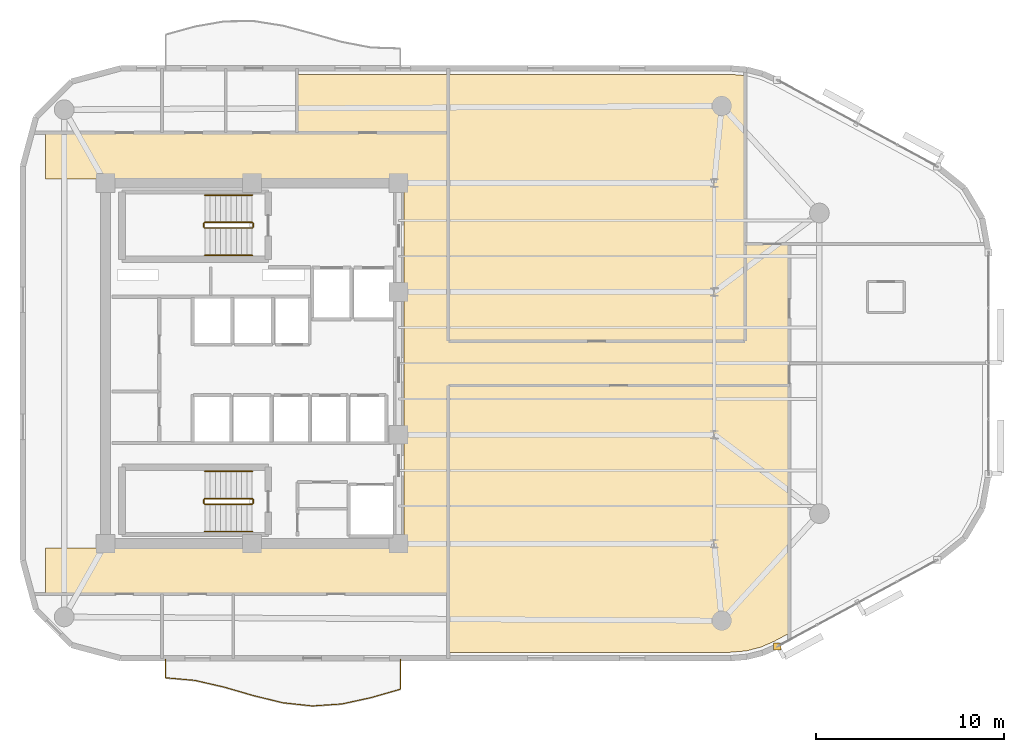
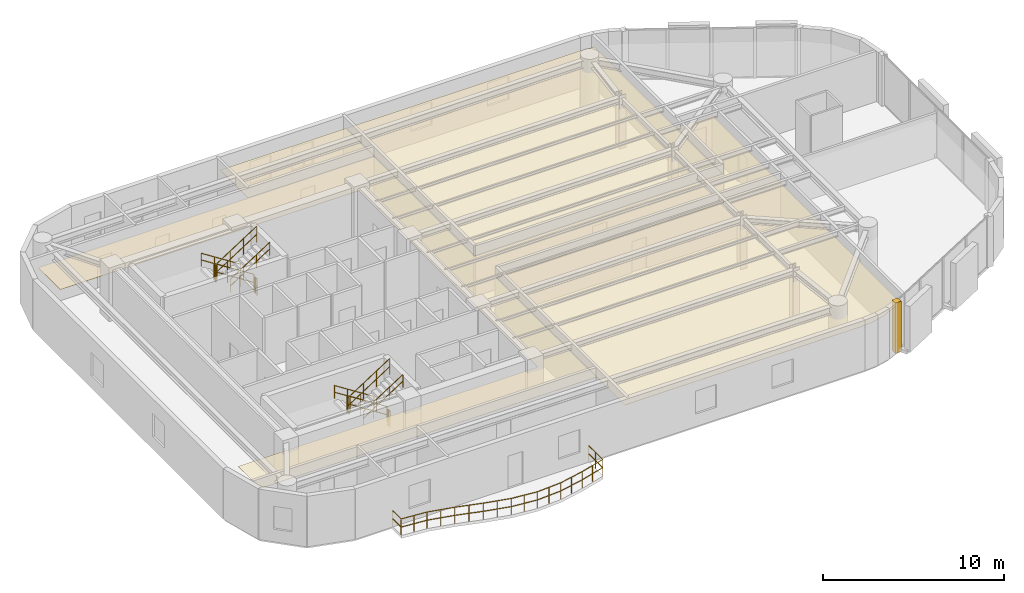
# One storey, part 12 of 13: 13 railings, 5 coverings.
"""IFC4 building model written with IfcOpenShell, lengths in metres."""

from ifc_helpers import new_model, si_unit, direction, frame, origin, origin_2d, place, context, subcontext, project, spatial, polyline, rectangle, circle, outline, extrude, material, layer, layer_set, type_object, element, save


model = new_model("IFC4")

# Units and contexts
model_context = context("Model", 3, precision=1e-05, world=origin(), true_north=direction((0.0, 1.0)))
body_context = subcontext(model_context, "Body", "Model", "MODEL_VIEW")
ifc_project = project(units=[si_unit("LENGTHUNIT", "METRE"), si_unit("AREAUNIT", "SQUARE_METRE"), si_unit("VOLUMEUNIT", "CUBIC_METRE"), si_unit("PLANEANGLEUNIT", "RADIAN"), si_unit("MASSUNIT", "GRAM", prefix="KILO")], contexts=[model_context])

# Site, building, storey
site_placement = place(None, origin())
site = spatial("IfcSite", under=ifc_project, at=site_placement, CompositionType="ELEMENT")
building_placement = place(site_placement, origin())
building = spatial("IfcBuilding", under=site, at=building_placement, Name="An Khanh Terracotta Commons", CompositionType="ELEMENT")
storey_placement = place(building_placement, frame((0.0, 0.0, 201.300048828125)))
storey = spatial("IfcBuildingStorey", under=building, at=storey_placement, Name="L52", CompositionType="ELEMENT", Elevation=201.300048828125)

# Coverings
ifc_material_1 = material(Name="Perforated Mineral-Fibre Acoustic Tile")
ifc_layer_1 = layer(ifc_material_1, 0.02001953125, Name="Perforated Mineral-Fibre Acoustic Tile")
ifc_layer_set_1 = layer_set([ifc_layer_1], Name="Perforated Mineral-Fibre Acoustic Tile")
covering_type_1 = type_object("IfcCoveringType", Name="CEIL-ACOUSTIC-18", PredefinedType="CEILING", material=ifc_layer_set_1)
covering_1_placement = place(storey_placement, frame((0.0, 0.0, 2.64990234375)))
element("IfcCovering", 1, at=covering_1_placement, inside=storey, type_object=covering_type_1, Name="L52 Corridor Ceiling", PredefinedType="CEILING", context=body_context, shape_type="SweptSolid", body=[
    extrude(outline(polyline([(18.39990234375, 11.719970703125), (18.39990234375, 14.179931640625), (37.5, 14.179931640625), (37.5, 33.820068359375), (18.39990234375, 33.820068359375), (18.39990234375, 36.280029296875), (37.5, 36.280029296875), (39.85009765625, 36.280029296875), (39.85009765625, 33.820068359375), (39.85009765625, 25.179931640625), (55.64990234375, 25.179931640625), (55.64990234375, 30.35009765625), (58.0, 30.35009765625), (58.0, 25.179931640625), (58.0, 22.820068359375), (55.64990234375, 22.820068359375), (39.85009765625, 22.820068359375), (39.85009765625, 14.179931640625), (39.85009765625, 11.719970703125), (37.5, 11.719970703125), (18.39990234375, 11.719970703125)])), origin(), (0.0, 0.0, 1.0), 0.02001953125),
])
covering_2_placement = place(storey_placement, frame((0.0, 0.0, 2.64990234375)))
element("IfcCovering", 2, at=covering_2_placement, inside=storey, type_object=covering_type_1, Name="L52 Collaborative Study Lounge Ceiling", PredefinedType="CEILING", context=body_context, shape_type="SweptSolid", body=[
    extrude(outline(polyline([(54.8720703125, 39.3798828125), (55.64990234375, 39.31494140625), (55.64990234375, 30.35009765625), (55.64990234375, 25.179931640625), (39.85009765625, 25.179931640625), (39.85009765625, 33.820068359375), (39.85009765625, 36.280029296875), (39.85009765625, 39.3798828125), (54.8720703125, 39.3798828125)])), origin(), (0.0, 0.0, 1.0), 0.02001953125),
])
covering_3_placement = place(storey_placement, frame((0.0, 0.0, 2.64990234375)))
element("IfcCovering", 3, at=covering_3_placement, inside=storey, type_object=covering_type_1, Name="L52 Collaborative Study Lounge Ceiling", PredefinedType="CEILING", context=body_context, shape_type="SweptSolid", body=[
    extrude(outline(polyline([(57.217041015625, 9.212890625), (56.467041015625, 8.885009765625), (55.68701171875, 8.68798828125), (54.8720703125, 8.6201171875), (39.85009765625, 8.6201171875), (39.85009765625, 11.719970703125), (39.85009765625, 14.179931640625), (39.85009765625, 22.820068359375), (55.64990234375, 22.820068359375), (58.0, 22.820068359375), (58.0, 9.635986328125), (57.217041015625, 9.212890625)])), origin(), (0.0, 0.0, 1.0), 0.02001953125),
])
covering_4_placement = place(storey_placement, frame((0.0, 0.0, 2.64990234375)))
element("IfcCovering", 4, at=covering_4_placement, inside=storey, type_object=covering_type_1, Name="L52 Student Reading Library Ceiling", PredefinedType="CEILING", context=body_context, shape_type="SweptSolid", body=[
    extrude(outline(polyline([(39.85009765625, 39.3798828125), (39.85009765625, 36.280029296875), (37.5, 36.280029296875), (31.800048828125, 36.280029296875), (31.800048828125, 39.35009765625), (31.800048828125, 39.3798828125), (39.85009765625, 39.3798828125)])), origin(), (0.0, 0.0, 1.0), 0.02001953125),
])
ifc_material_2 = material(Name="Fired Terracotta Rainscreen Cladding", Category="masonry")
ifc_layer_2 = layer(ifc_material_2, 0.080078125, Name="Fired Terracotta Rainscreen Cladding")
ifc_layer_set_2 = layer_set([ifc_layer_2], Name="Fired Terracotta Rainscreen Cladding")
covering_type_2 = type_object("IfcCoveringType", Name="COV-JAMB-TERRA", PredefinedType="CLADDING", material=ifc_layer_set_2)
covering_5_placement = place(storey_placement, frame((57.35693359375, 8.925048828125, 0.0), z_axis=(0.0, 0.0, 1.0), x_axis=(1.0, 0.0, 0.0)))
element("IfcCovering", 5, at=covering_5_placement, inside=storey, type_object=covering_type_2, Name="L52 CW-03 Curtain-Wall Jamb Closure JA", PredefinedType="CLADDING", context=body_context, shape_type="SweptSolid", body=[
    extrude(rectangle(XDim=0.3798828125, YDim=0.3798828125, at=origin_2d()), origin(), (0.0, 0.0, 1.0), 3.39990234375),
])

# Railings
ifc_material_3 = material(Name="Brushed Stainless Steel 316", Category="steel")
railing_type_1 = type_object("IfcRailingType", Name="RAIL-BALUSTRADE-1100", PredefinedType="BALUSTRADE", material=ifc_material_3)
railing_1_placement = place(storey_placement, frame((24.800048828125, 8.239990234375, 0.0)))
element("IfcRailing", 6, at=railing_1_placement, inside=storey, type_object=railing_type_1, Name="L52 S Wave Balcony Guard Balustrade", PredefinedType="BALUSTRADE", context=body_context, shape_type="SweptSolid", body=[
    extrude(circle(Radius=0.02392578125, at=origin_2d()), frame((0.0, 0.0, 1.076171875), z_axis=(0.0, -1.0, 0.0), x_axis=(1.0, 0.0, 0.0)), (0.0, 0.0, 1.0), 0.97998046875),
    extrude(circle(Radius=0.02392578125, at=origin_2d()), frame((0.0, 0.0, 0.52587890625), z_axis=(0.0, -1.0, 0.0), x_axis=(1.0, 0.0, 0.0)), (0.0, 0.0, 1.0), 0.97998046875),
    extrude(circle(Radius=0.02392578125, at=origin_2d()), frame((0.0, -0.97998046875, 1.076171875), z_axis=(0.996182561968, -0.087294348214, 0.0), x_axis=(0.087294348214, 0.996182561968, 0.0)), (0.0, 0.0, 1.0), 1.569091796875),
    extrude(circle(Radius=0.02392578125, at=origin_2d()), frame((0.0, -0.97998046875, 0.52587890625), z_axis=(0.996182561968, -0.087294348214, 0.0), x_axis=(0.087294348214, 0.996182561968, 0.0)), (0.0, 0.0, 1.0), 1.569091796875),
    extrude(circle(Radius=0.02392578125, at=origin_2d()), frame((1.56298828125, -1.116943359375, 1.076171875), z_axis=(0.974439944228, -0.224648158446, 0.0), x_axis=(0.224648158446, 0.974439944228, 0.0)), (0.0, 0.0, 1.0), 1.60302734375),
    extrude(circle(Radius=0.02392578125, at=origin_2d()), frame((1.56298828125, -1.116943359375, 0.52587890625), z_axis=(0.974439944228, -0.224648158446, 0.0), x_axis=(0.224648158446, 0.974439944228, 0.0)), (0.0, 0.0, 1.0), 1.60302734375),
    extrude(circle(Radius=0.02392578125, at=origin_2d()), frame((3.125, -1.47705078125, 1.076171875), z_axis=(0.960492524809, -0.27830578468, 0.0), x_axis=(0.27830578468, 0.960492524809, 0.0)), (0.0, 0.0, 1.0), 1.627197265625),
    extrude(circle(Radius=0.02392578125, at=origin_2d()), frame((3.125, -1.47705078125, 0.52587890625), z_axis=(0.960492524809, -0.27830578468, 0.0), x_axis=(0.27830578468, 0.960492524809, 0.0)), (0.0, 0.0, 1.0), 1.627197265625),
    extrude(circle(Radius=0.02392578125, at=origin_2d()), frame((4.68798828125, -1.929931640625, 1.076171875), z_axis=(0.971642146791, -0.236456208589, 0.0), x_axis=(0.236456208589, 0.971642146791, 0.0)), (0.0, 0.0, 1.0), 1.607666015625),
    extrude(circle(Radius=0.02392578125, at=origin_2d()), frame((4.68798828125, -1.929931640625, 0.52587890625), z_axis=(0.971642146791, -0.236456208589, 0.0), x_axis=(0.236456208589, 0.971642146791, 0.0)), (0.0, 0.0, 1.0), 1.607666015625),
    extrude(circle(Radius=0.02392578125, at=origin_2d()), frame((6.25, -2.31005859375, 1.076171875), z_axis=(0.994267926372, -0.106917213714, 0.0), x_axis=(0.106917213714, 0.994267926372, 0.0)), (0.0, 0.0, 1.0), 1.571044921875),
    extrude(circle(Radius=0.02392578125, at=origin_2d()), frame((6.25, -2.31005859375, 0.52587890625), z_axis=(0.994267926372, -0.106917213714, 0.0), x_axis=(0.106917213714, 0.994267926372, 0.0)), (0.0, 0.0, 1.0), 1.571044921875),
    extrude(circle(Radius=0.02392578125, at=origin_2d()), frame((7.81201171875, -2.47802734375, 1.076171875), z_axis=(0.997751933428, 0.067015515679, 0.0), x_axis=(-0.067015515679, 0.997751933428, 0.0)), (0.0, 0.0, 1.0), 1.56640625),
    extrude(circle(Radius=0.02392578125, at=origin_2d()), frame((7.81201171875, -2.47802734375, 0.52587890625), z_axis=(0.997751933428, 0.067015515679, 0.0), x_axis=(-0.067015515679, 0.997751933428, 0.0)), (0.0, 0.0, 1.0), 1.56640625),
    extrude(circle(Radius=0.02392578125, at=origin_2d()), frame((9.375, -2.373046875, 1.076171875), z_axis=(0.977235602541, 0.212156963415, 0.0), x_axis=(-0.212156963415, 0.977235602541, 0.0)), (0.0, 0.0, 1.0), 1.598388671875),
    extrude(circle(Radius=0.02392578125, at=origin_2d()), frame((9.375, -2.373046875, 0.52587890625), z_axis=(0.977235602541, 0.212156963415, 0.0), x_axis=(-0.212156963415, 0.977235602541, 0.0)), (0.0, 0.0, 1.0), 1.598388671875),
    extrude(circle(Radius=0.02392578125, at=origin_2d()), frame((10.93701171875, -2.033935546875, 1.076171875), z_axis=(0.960972583442, 0.276643622506, 0.0), x_axis=(-0.276643622506, 0.960972583442, 0.0)), (0.0, 0.0, 1.0), 1.62646484375),
    extrude(circle(Radius=0.02392578125, at=origin_2d()), frame((10.93701171875, -2.033935546875, 0.52587890625), z_axis=(0.960972583442, 0.276643622506, 0.0), x_axis=(-0.276643622506, 0.960972583442, 0.0)), (0.0, 0.0, 1.0), 1.62646484375),
    extrude(circle(Radius=0.02392578125, at=origin_2d()), frame((12.5, -1.583984375, 1.076171875), z_axis=(0.0, 1.0, 0.0), x_axis=(-1.0, 0.0, 0.0)), (0.0, 0.0, 1.0), 1.583984375),
    extrude(circle(Radius=0.02392578125, at=origin_2d()), frame((12.5, -1.583984375, 0.52587890625), z_axis=(0.0, 1.0, 0.0), x_axis=(-1.0, 0.0, 0.0)), (0.0, 0.0, 1.0), 1.583984375),
    extrude(circle(Radius=0.02099609375, at=origin_2d()), origin(), (0.0, 0.0, 1.0), 1.052001953125),
    extrude(circle(Radius=0.02099609375, at=origin_2d()), frame((0.0, -0.97998046875, 0.0)), (0.0, 0.0, 1.0), 1.052001953125),
    extrude(circle(Radius=0.02099609375, at=origin_2d()), frame((0.781494140625, -1.04833984375, 0.0)), (0.0, 0.0, 1.0), 1.052001953125),
    extrude(circle(Radius=0.02099609375, at=origin_2d()), frame((1.56298828125, -1.116943359375, 0.0)), (0.0, 0.0, 1.0), 1.052001953125),
    extrude(circle(Radius=0.02099609375, at=origin_2d()), frame((2.343994140625, -1.296875, 0.0)), (0.0, 0.0, 1.0), 1.052001953125),
    extrude(circle(Radius=0.02099609375, at=origin_2d()), frame((3.125, -1.47705078125, 0.0)), (0.0, 0.0, 1.0), 1.052001953125),
    extrude(circle(Radius=0.02099609375, at=origin_2d()), frame((3.906494140625, -1.70361328125, 0.0)), (0.0, 0.0, 1.0), 1.052001953125),
    extrude(circle(Radius=0.02099609375, at=origin_2d()), frame((4.68798828125, -1.929931640625, 0.0)), (0.0, 0.0, 1.0), 1.052001953125),
    extrude(circle(Radius=0.02099609375, at=origin_2d()), frame((5.468994140625, -2.1201171875, 0.0)), (0.0, 0.0, 1.0), 1.052001953125),
    extrude(circle(Radius=0.02099609375, at=origin_2d()), frame((6.25, -2.31005859375, 0.0)), (0.0, 0.0, 1.0), 1.052001953125),
    extrude(circle(Radius=0.02099609375, at=origin_2d()), frame((7.031005859375, -2.39404296875, 0.0)), (0.0, 0.0, 1.0), 1.052001953125),
    extrude(circle(Radius=0.02099609375, at=origin_2d()), frame((7.81201171875, -2.47802734375, 0.0)), (0.0, 0.0, 1.0), 1.052001953125),
    extrude(circle(Radius=0.02099609375, at=origin_2d()), frame((8.593505859375, -2.425537109375, 0.0)), (0.0, 0.0, 1.0), 1.052001953125),
    extrude(circle(Radius=0.02099609375, at=origin_2d()), frame((9.375, -2.373046875, 0.0)), (0.0, 0.0, 1.0), 1.052001953125),
    extrude(circle(Radius=0.02099609375, at=origin_2d()), frame((10.156005859375, -2.20361328125, 0.0)), (0.0, 0.0, 1.0), 1.052001953125),
    extrude(circle(Radius=0.02099609375, at=origin_2d()), frame((10.93701171875, -2.033935546875, 0.0)), (0.0, 0.0, 1.0), 1.052001953125),
    extrude(circle(Radius=0.02099609375, at=origin_2d()), frame((11.718505859375, -1.80908203125, 0.0)), (0.0, 0.0, 1.0), 1.052001953125),
    extrude(circle(Radius=0.02099609375, at=origin_2d()), frame((12.5, -1.583984375, 0.0)), (0.0, 0.0, 1.0), 1.052001953125),
    extrude(circle(Radius=0.02099609375, at=origin_2d()), frame((12.5, -0.7919921875, 0.0)), (0.0, 0.0, 1.0), 1.052001953125),
    extrude(circle(Radius=0.02099609375, at=origin_2d()), frame((12.5, 0.0, 0.0)), (0.0, 0.0, 1.0), 1.052001953125),
])
railing_type_2 = type_object("IfcRailingType", Name="RAIL-HANDRAIL-900", PredefinedType="HANDRAIL", material=ifc_material_3)
railing_2_placement = place(storey_placement, frame((29.409912109375, 32.949951171875, 0.179931640625)))
element("IfcRailing", 7, at=railing_2_placement, inside=storey, type_object=railing_type_2, Name="L52 ST-01 stair handrail 1", PredefinedType="HANDRAIL", context=body_context, shape_type="SweptSolid", body=[
    extrude(circle(Radius=0.02392578125, at=origin_2d()), frame((0.0, 0.0, 0.8759765625), z_axis=(-0.841162588446, 0.0, 0.540782303519), x_axis=(0.0, -1.0, 0.0)), (0.0, 0.0, 1.0), 2.995849609375),
    extrude(circle(Radius=0.02392578125, at=origin_2d()), frame((0.0, 0.0, 0.42578125), z_axis=(-0.841162588446, 0.0, 0.540782303519), x_axis=(0.0, -1.0, 0.0)), (0.0, 0.0, 1.0), 2.995849609375),
    extrude(circle(Radius=0.02099609375, at=origin_2d()), origin(), (0.0, 0.0, 1.0), 0.851806640625),
    extrude(circle(Radius=0.02099609375, at=origin_2d()), frame((-0.840087890625, 0.0, 0.5400390625)), (0.0, 0.0, 1.0), 0.851806640625),
    extrude(circle(Radius=0.02099609375, at=origin_2d()), frame((-1.679931640625, 0.0, 1.080078125)), (0.0, 0.0, 1.0), 0.851806640625),
    extrude(circle(Radius=0.02099609375, at=origin_2d()), frame((-2.52001953125, 0.0, 1.6201171875)), (0.0, 0.0, 1.0), 0.851806640625),
])
railing_3_placement = place(storey_placement, frame((26.889892578125, 29.75, 1.97998046875)))
element("IfcRailing", 8, at=railing_3_placement, inside=storey, type_object=railing_type_2, Name="L52 ST-01 stair handrail 2", PredefinedType="HANDRAIL", context=body_context, shape_type="SweptSolid", body=[
    extrude(circle(Radius=0.02392578125, at=origin_2d()), frame((0.0, 0.0, 0.8759765625), z_axis=(0.841199657755, 0.0, 0.540724639528), x_axis=(0.0, 1.0, 0.0)), (0.0, 0.0, 1.0), 2.995849609375),
    extrude(circle(Radius=0.02392578125, at=origin_2d()), frame((0.0, 0.0, 0.42578125), z_axis=(0.841199657755, 0.0, 0.540724639528), x_axis=(0.0, 1.0, 0.0)), (0.0, 0.0, 1.0), 2.995849609375),
    extrude(circle(Radius=0.02099609375, at=origin_2d()), origin(), (0.0, 0.0, 1.0), 0.851806640625),
    extrude(circle(Radius=0.02099609375, at=origin_2d()), frame((0.840087890625, 0.0, 0.5400390625)), (0.0, 0.0, 1.0), 0.851806640625),
    extrude(circle(Radius=0.02099609375, at=origin_2d()), frame((1.679931640625, 0.0, 1.079833984375)), (0.0, 0.0, 1.0), 0.851806640625),
    extrude(circle(Radius=0.02099609375, at=origin_2d()), frame((2.52001953125, 0.0, 1.619873046875)), (0.0, 0.0, 1.0), 0.851806640625),
])
railing_4_placement = place(storey_placement, frame((29.409912109375, 18.25, 0.179931640625)))
element("IfcRailing", 9, at=railing_4_placement, inside=storey, type_object=railing_type_2, Name="L52 ST-02 stair handrail 1", PredefinedType="HANDRAIL", context=body_context, shape_type="SweptSolid", body=[
    extrude(circle(Radius=0.02392578125, at=origin_2d()), frame((0.0, 0.0, 0.8759765625), z_axis=(-0.841162588446, 0.0, 0.540782303519), x_axis=(0.0, -1.0, 0.0)), (0.0, 0.0, 1.0), 2.995849609375),
    extrude(circle(Radius=0.02392578125, at=origin_2d()), frame((0.0, 0.0, 0.42578125), z_axis=(-0.841162588446, 0.0, 0.540782303519), x_axis=(0.0, -1.0, 0.0)), (0.0, 0.0, 1.0), 2.995849609375),
    extrude(circle(Radius=0.02099609375, at=origin_2d()), origin(), (0.0, 0.0, 1.0), 0.851806640625),
    extrude(circle(Radius=0.02099609375, at=origin_2d()), frame((-0.840087890625, 0.0, 0.5400390625)), (0.0, 0.0, 1.0), 0.851806640625),
    extrude(circle(Radius=0.02099609375, at=origin_2d()), frame((-1.679931640625, 0.0, 1.080078125)), (0.0, 0.0, 1.0), 0.851806640625),
    extrude(circle(Radius=0.02099609375, at=origin_2d()), frame((-2.52001953125, 0.0, 1.6201171875)), (0.0, 0.0, 1.0), 0.851806640625),
])
railing_5_placement = place(storey_placement, frame((26.889892578125, 15.050048828125, 1.97998046875)))
element("IfcRailing", 10, at=railing_5_placement, inside=storey, type_object=railing_type_2, Name="L52 ST-02 stair handrail 2", PredefinedType="HANDRAIL", context=body_context, shape_type="SweptSolid", body=[
    extrude(circle(Radius=0.02392578125, at=origin_2d()), frame((0.0, 0.0, 0.8759765625), z_axis=(0.841199657755, 0.0, 0.540724639528), x_axis=(0.0, 1.0, 0.0)), (0.0, 0.0, 1.0), 2.995849609375),
    extrude(circle(Radius=0.02392578125, at=origin_2d()), frame((0.0, 0.0, 0.42578125), z_axis=(0.841199657755, 0.0, 0.540724639528), x_axis=(0.0, 1.0, 0.0)), (0.0, 0.0, 1.0), 2.995849609375),
    extrude(circle(Radius=0.02099609375, at=origin_2d()), origin(), (0.0, 0.0, 1.0), 0.851806640625),
    extrude(circle(Radius=0.02099609375, at=origin_2d()), frame((0.840087890625, 0.0, 0.5400390625)), (0.0, 0.0, 1.0), 0.851806640625),
    extrude(circle(Radius=0.02099609375, at=origin_2d()), frame((1.679931640625, 0.0, 1.079833984375)), (0.0, 0.0, 1.0), 0.851806640625),
    extrude(circle(Radius=0.02099609375, at=origin_2d()), frame((2.52001953125, 0.0, 1.619873046875)), (0.0, 0.0, 1.0), 0.851806640625),
])
ifc_material_4 = material(Name="Powder-Coated Steel S355J2", Category="steel")
railing_type_3 = type_object("IfcRailingType", Name="RAIL-STAIR-GUARD-1100", PredefinedType="BALUSTRADE", material=ifc_material_4)
railing_6_placement = place(storey_placement, frame((29.409912109375, 31.5, 0.179931640625)))
element("IfcRailing", 11, at=railing_6_placement, inside=storey, type_object=railing_type_3, Name="L52 ST-01 stair guard 1", PredefinedType="BALUSTRADE", context=body_context, shape_type="SweptSolid", body=[
    extrude(circle(Radius=0.02392578125, at=origin_2d()), frame((0.0, 0.0, 1.076171875), z_axis=(-0.841162588446, 0.0, 0.540782303519), x_axis=(0.0, -1.0, 0.0)), (0.0, 0.0, 1.0), 2.995849609375),
    extrude(circle(Radius=0.02392578125, at=origin_2d()), frame((0.0, 0.0, 0.52587890625), z_axis=(-0.841162588446, 0.0, 0.540782303519), x_axis=(0.0, -1.0, 0.0)), (0.0, 0.0, 1.0), 2.995849609375),
    extrude(circle(Radius=0.02099609375, at=origin_2d()), origin(), (0.0, 0.0, 1.0), 1.052001953125),
    extrude(circle(Radius=0.02099609375, at=origin_2d()), frame((-0.840087890625, 0.0, 0.5400390625)), (0.0, 0.0, 1.0), 1.052001953125),
    extrude(circle(Radius=0.02099609375, at=origin_2d()), frame((-1.679931640625, 0.0, 1.080078125)), (0.0, 0.0, 1.0), 1.052001953125),
    extrude(circle(Radius=0.02099609375, at=origin_2d()), frame((-2.52001953125, 0.0, 1.6201171875)), (0.0, 0.0, 1.0), 1.052001953125),
])
railing_7_placement = place(storey_placement, frame((26.840087890625, 31.449951171875, 1.800048828125)))
element("IfcRailing", 12, at=railing_7_placement, inside=storey, type_object=railing_type_3, Name="L52 ST-01 stair guard 2", PredefinedType="BALUSTRADE", context=body_context, shape_type="SweptSolid", body=[
    extrude(circle(Radius=0.02392578125, at=origin_2d()), frame((0.0, 0.0, 1.076171875), z_axis=(0.0, -1.0, 0.0), x_axis=(1.0, 0.0, 0.0)), (0.0, 0.0, 1.0), 0.199951171875),
    extrude(circle(Radius=0.02392578125, at=origin_2d()), frame((0.0, 0.0, 0.52587890625), z_axis=(0.0, -1.0, 0.0), x_axis=(1.0, 0.0, 0.0)), (0.0, 0.0, 1.0), 0.199951171875),
    extrude(circle(Radius=0.02099609375, at=origin_2d()), origin(), (0.0, 0.0, 1.0), 1.052001953125),
    extrude(circle(Radius=0.02099609375, at=origin_2d()), frame((0.0, -0.199951171875, 0.0)), (0.0, 0.0, 1.0), 1.052001953125),
])
railing_8_placement = place(storey_placement, frame((26.889892578125, 31.199951171875, 1.97998046875)))
element("IfcRailing", 13, at=railing_8_placement, inside=storey, type_object=railing_type_3, Name="L52 ST-01 stair guard 3", PredefinedType="BALUSTRADE", context=body_context, shape_type="SweptSolid", body=[
    extrude(circle(Radius=0.02392578125, at=origin_2d()), frame((0.0, 0.0, 1.076171875), z_axis=(0.841199657755, 0.0, 0.540724639528), x_axis=(0.0, 1.0, 0.0)), (0.0, 0.0, 1.0), 2.995849609375),
    extrude(circle(Radius=0.02392578125, at=origin_2d()), frame((0.0, 0.0, 0.52587890625), z_axis=(0.841199657755, 0.0, 0.540724639528), x_axis=(0.0, 1.0, 0.0)), (0.0, 0.0, 1.0), 2.995849609375),
    extrude(circle(Radius=0.02099609375, at=origin_2d()), origin(), (0.0, 0.0, 1.0), 1.052001953125),
    extrude(circle(Radius=0.02099609375, at=origin_2d()), frame((0.840087890625, 0.0, 0.5400390625)), (0.0, 0.0, 1.0), 1.052001953125),
    extrude(circle(Radius=0.02099609375, at=origin_2d()), frame((1.679931640625, 0.0, 1.079833984375)), (0.0, 0.0, 1.0), 1.052001953125),
    extrude(circle(Radius=0.02099609375, at=origin_2d()), frame((2.52001953125, 0.0, 1.619873046875)), (0.0, 0.0, 1.0), 1.052001953125),
])
railing_9_placement = place(storey_placement, frame((29.4599609375, 31.449951171875, 0.0)))
element("IfcRailing", 14, at=railing_9_placement, inside=storey, type_object=railing_type_3, Name="L52 ST-01 stair guard 4", PredefinedType="BALUSTRADE", context=body_context, shape_type="SweptSolid", body=[
    extrude(circle(Radius=0.02392578125, at=origin_2d()), frame((0.0, 0.0, 1.076171875), z_axis=(0.0, -1.0, 0.0), x_axis=(1.0, 0.0, 0.0)), (0.0, 0.0, 1.0), 0.199951171875),
    extrude(circle(Radius=0.02392578125, at=origin_2d()), frame((0.0, 0.0, 0.52587890625), z_axis=(0.0, -1.0, 0.0), x_axis=(1.0, 0.0, 0.0)), (0.0, 0.0, 1.0), 0.199951171875),
    extrude(circle(Radius=0.02099609375, at=origin_2d()), origin(), (0.0, 0.0, 1.0), 1.052001953125),
    extrude(circle(Radius=0.02099609375, at=origin_2d()), frame((0.0, -0.199951171875, 0.0)), (0.0, 0.0, 1.0), 1.052001953125),
])
railing_10_placement = place(storey_placement, frame((29.409912109375, 16.800048828125, 0.179931640625)))
element("IfcRailing", 15, at=railing_10_placement, inside=storey, type_object=railing_type_3, Name="L52 ST-02 stair guard 1", PredefinedType="BALUSTRADE", context=body_context, shape_type="SweptSolid", body=[
    extrude(circle(Radius=0.02392578125, at=origin_2d()), frame((0.0, 0.0, 1.076171875), z_axis=(-0.841162588446, 0.0, 0.540782303519), x_axis=(0.0, -1.0, 0.0)), (0.0, 0.0, 1.0), 2.995849609375),
    extrude(circle(Radius=0.02392578125, at=origin_2d()), frame((0.0, 0.0, 0.52587890625), z_axis=(-0.841162588446, 0.0, 0.540782303519), x_axis=(0.0, -1.0, 0.0)), (0.0, 0.0, 1.0), 2.995849609375),
    extrude(circle(Radius=0.02099609375, at=origin_2d()), origin(), (0.0, 0.0, 1.0), 1.052001953125),
    extrude(circle(Radius=0.02099609375, at=origin_2d()), frame((-0.840087890625, 0.0, 0.5400390625)), (0.0, 0.0, 1.0), 1.052001953125),
    extrude(circle(Radius=0.02099609375, at=origin_2d()), frame((-1.679931640625, 0.0, 1.080078125)), (0.0, 0.0, 1.0), 1.052001953125),
    extrude(circle(Radius=0.02099609375, at=origin_2d()), frame((-2.52001953125, 0.0, 1.6201171875)), (0.0, 0.0, 1.0), 1.052001953125),
])
railing_11_placement = place(storey_placement, frame((26.840087890625, 16.75, 1.800048828125)))
element("IfcRailing", 16, at=railing_11_placement, inside=storey, type_object=railing_type_3, Name="L52 ST-02 stair guard 2", PredefinedType="BALUSTRADE", context=body_context, shape_type="SweptSolid", body=[
    extrude(circle(Radius=0.02392578125, at=origin_2d()), frame((0.0, 0.0, 1.076171875), z_axis=(0.0, -1.0, 0.0), x_axis=(1.0, 0.0, 0.0)), (0.0, 0.0, 1.0), 0.199951171875),
    extrude(circle(Radius=0.02392578125, at=origin_2d()), frame((0.0, 0.0, 0.52587890625), z_axis=(0.0, -1.0, 0.0), x_axis=(1.0, 0.0, 0.0)), (0.0, 0.0, 1.0), 0.199951171875),
    extrude(circle(Radius=0.02099609375, at=origin_2d()), origin(), (0.0, 0.0, 1.0), 1.052001953125),
    extrude(circle(Radius=0.02099609375, at=origin_2d()), frame((0.0, -0.199951171875, 0.0)), (0.0, 0.0, 1.0), 1.052001953125),
])
railing_12_placement = place(storey_placement, frame((26.889892578125, 16.5, 1.97998046875)))
element("IfcRailing", 17, at=railing_12_placement, inside=storey, type_object=railing_type_3, Name="L52 ST-02 stair guard 3", PredefinedType="BALUSTRADE", context=body_context, shape_type="SweptSolid", body=[
    extrude(circle(Radius=0.02392578125, at=origin_2d()), frame((0.0, 0.0, 1.076171875), z_axis=(0.841199657755, 0.0, 0.540724639528), x_axis=(0.0, 1.0, 0.0)), (0.0, 0.0, 1.0), 2.995849609375),
    extrude(circle(Radius=0.02392578125, at=origin_2d()), frame((0.0, 0.0, 0.52587890625), z_axis=(0.841199657755, 0.0, 0.540724639528), x_axis=(0.0, 1.0, 0.0)), (0.0, 0.0, 1.0), 2.995849609375),
    extrude(circle(Radius=0.02099609375, at=origin_2d()), origin(), (0.0, 0.0, 1.0), 1.052001953125),
    extrude(circle(Radius=0.02099609375, at=origin_2d()), frame((0.840087890625, 0.0, 0.5400390625)), (0.0, 0.0, 1.0), 1.052001953125),
    extrude(circle(Radius=0.02099609375, at=origin_2d()), frame((1.679931640625, 0.0, 1.079833984375)), (0.0, 0.0, 1.0), 1.052001953125),
    extrude(circle(Radius=0.02099609375, at=origin_2d()), frame((2.52001953125, 0.0, 1.619873046875)), (0.0, 0.0, 1.0), 1.052001953125),
])
railing_13_placement = place(storey_placement, frame((29.4599609375, 16.75, 0.0)))
element("IfcRailing", 18, at=railing_13_placement, inside=storey, type_object=railing_type_3, Name="L52 ST-02 stair guard 4", PredefinedType="BALUSTRADE", context=body_context, shape_type="SweptSolid", body=[
    extrude(circle(Radius=0.02392578125, at=origin_2d()), frame((0.0, 0.0, 1.076171875), z_axis=(0.0, -1.0, 0.0), x_axis=(1.0, 0.0, 0.0)), (0.0, 0.0, 1.0), 0.199951171875),
    extrude(circle(Radius=0.02392578125, at=origin_2d()), frame((0.0, 0.0, 0.52587890625), z_axis=(0.0, -1.0, 0.0), x_axis=(1.0, 0.0, 0.0)), (0.0, 0.0, 1.0), 0.199951171875),
    extrude(circle(Radius=0.02099609375, at=origin_2d()), origin(), (0.0, 0.0, 1.0), 1.052001953125),
    extrude(circle(Radius=0.02099609375, at=origin_2d()), frame((0.0, -0.199951171875, 0.0)), (0.0, 0.0, 1.0), 1.052001953125),
])

save(model, "model.ifc")
